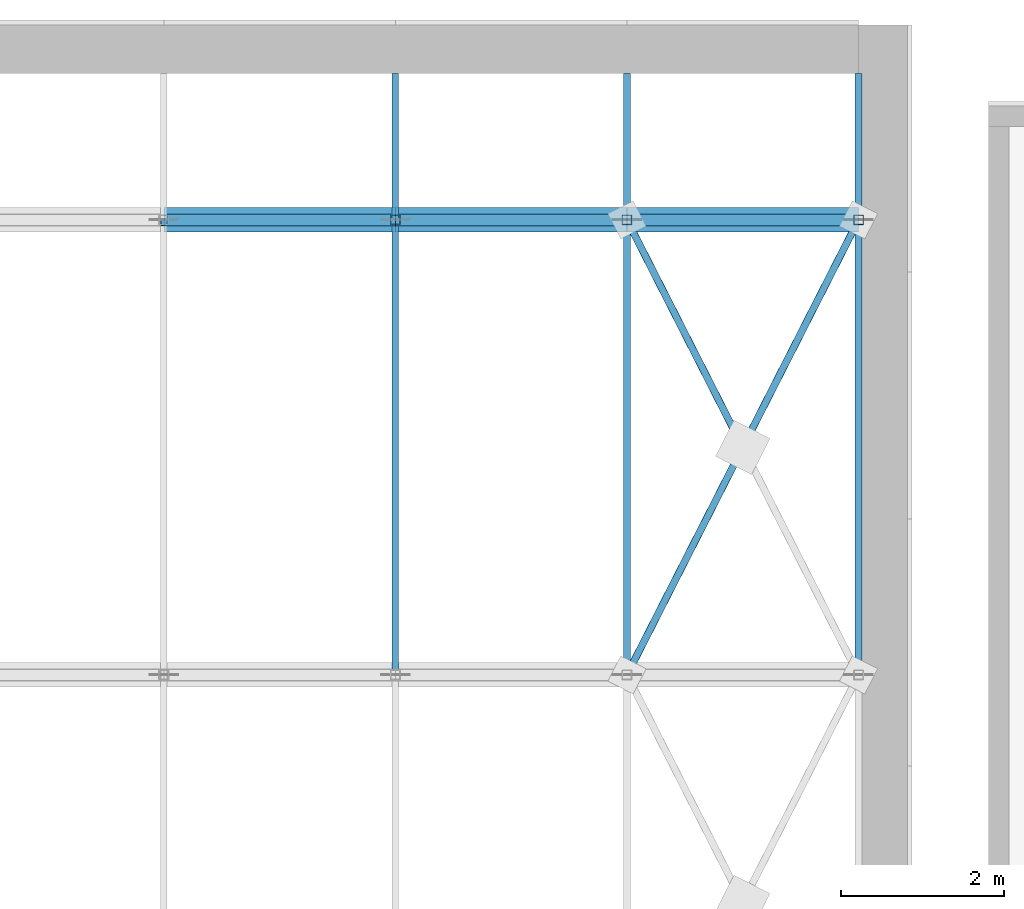
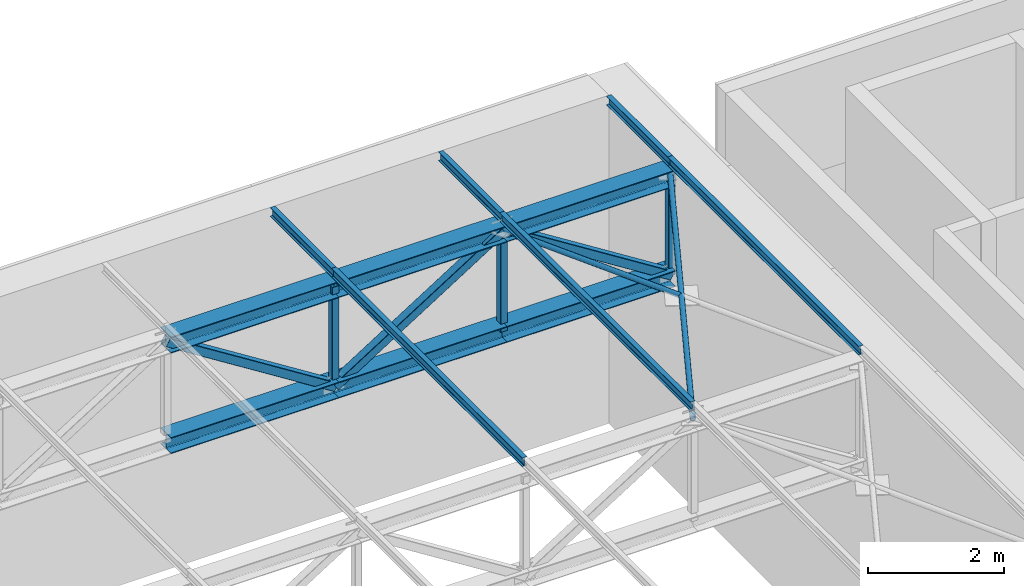
# One storey, part 43 of 55: 20 members.
"""IFC4 building model written with IfcOpenShell, lengths in metres."""

from ifc_helpers import new_model, si_unit, direction, frame, origin, origin_2d, place, context, subcontext, project, spatial, hollow_rectangle, hollow_circle, i_section, extrude, material, material_profile, profile_set, type_object, element, save


model = new_model("IFC4")

# Units and contexts
model_context = context("Model", 3, precision=1e-05, world=origin(), true_north=direction((0.0, 1.0)))
body_context = subcontext(model_context, "Body", "Model", "MODEL_VIEW")
ifc_project = project(units=[si_unit("LENGTHUNIT", "METRE"), si_unit("AREAUNIT", "SQUARE_METRE"), si_unit("VOLUMEUNIT", "CUBIC_METRE"), si_unit("PLANEANGLEUNIT", "RADIAN"), si_unit("MASSUNIT", "GRAM", prefix="KILO")], contexts=[model_context])

# Site, building, storey
site_placement = place(None, origin())
site = spatial("IfcSite", under=ifc_project, at=site_placement, CompositionType="ELEMENT")
building_placement = place(site_placement, origin())
building = spatial("IfcBuilding", under=site, at=building_placement, Name="Lunette Opera House", CompositionType="ELEMENT")
storey_placement = place(building_placement, frame((0.0, 0.0, 34.0)))
storey = spatial("IfcBuildingStorey", under=building, at=storey_placement, Name="L06", CompositionType="ELEMENT", Elevation=34.0)

# Members
ifc_material_1 = material(Name="Steel S355", Category="steel")
ifc_material_profile_1 = material_profile(ifc_material_1, hollow_circle(Radius=0.04443359375, WallThickness=0.00390625, at=origin_2d()), Name="CHS 88.9X4")
ifc_profile_set_1 = profile_set([ifc_material_profile_1], Name="Steel S355")
member_type_1 = type_object("IfcMemberType", Name="BRACING CHS 88.9X4", PredefinedType="BRACE", material=ifc_profile_set_1)
member_1_placement = place(storey_placement, frame((104.550048828125, 128.0, 5.574951171875), z_axis=(0.453543338002, 0.891234223173, 0.0), x_axis=(-0.891234223173, 0.453543338002, 0.0)))
element("IfcMember", 1, at=member_1_placement, inside=storey, type_object=member_type_1, Name="mem-ST-L06-SR-TR-BRQ2P8A", PredefinedType="BRACE", context=body_context, shape_type="SweptSolid", body=[
    extrude(hollow_circle(Radius=0.04443359375, WallThickness=0.00390625, at=origin_2d()), origin(), (0.0, 0.0, 1.0), 6.283447265625),
])
member_2_placement = place(storey_placement, frame((105.97509765625, 130.800048828125, 5.574951171875), z_axis=(-0.453574198899, 0.891218517589, 0.0), x_axis=(-0.891218517589, -0.453574198899, 0.0)))
element("IfcMember", 2, at=member_2_placement, inside=storey, type_object=member_type_1, Name="mem-ST-L06-SR-TR-BRQ2P8B segment 2", PredefinedType="BRACE", context=body_context, shape_type="SweptSolid", body=[
    extrude(hollow_circle(Radius=0.04443359375, WallThickness=0.00390625, at=origin_2d()), origin(), (0.0, 0.0, 1.0), 3.141845703125),
])
ifc_material_2 = material(Name="Steel S355", Category="steel")
ifc_material_profile_2 = material_profile(ifc_material_2, i_section(OverallWidth=0.300048828125, OverallDepth=0.2900390625, WebThickness=0.008544921875, FlangeThickness=0.013916015625, FilletRadius=0.027099609375, at=origin_2d()), Name="HEA 300")
ifc_profile_set_2 = profile_set([ifc_material_profile_2], Name="Steel S355")
member_type_2 = type_object("IfcMemberType", Name="CHORD HEA 300", PredefinedType="CHORD", material=ifc_profile_set_2)
for number, where, z_axis, x_axis, name in (
    (3, (98.85009765625, 133.60009765625, 5.574951171875), (1.0, 0.0, 0.0), (0.0, 1.0, 0.0), "mem-ST-L06-SR-TR03-TC6"),
    (4, (98.85009765625, 133.60009765625, 3.77490234375), (1.0, 0.0, 0.0), (0.0, 1.0, 0.0), "mem-ST-L06-SR-TR03-BC6"),
):
    element("IfcMember", number, at=place(storey_placement, frame(where, z_axis=z_axis, x_axis=x_axis)), inside=storey, type_object=member_type_2, Name=name, PredefinedType="CHORD", context=body_context, shape_type="SweptSolid", body=[
        extrude(i_section(OverallWidth=0.300048828125, OverallDepth=0.2900390625, WebThickness=0.008544921875, FlangeThickness=0.013916015625, FilletRadius=0.027099609375, at=origin_2d()), origin(), (0.0, 0.0, 1.0), 2.849853515625),
    ])
for number, where, z_axis, x_axis, name in (
    (5, (101.699951171875, 133.60009765625, 5.574951171875), (1.0, 0.0, 0.0), (0.0, 1.0, 0.0), "mem-ST-L06-SR-TR03-TC7"),
    (6, (101.699951171875, 133.60009765625, 3.77490234375), (1.0, 0.0, 0.0), (0.0, 1.0, 0.0), "mem-ST-L06-SR-TR03-BC7"),
):
    element("IfcMember", number, at=place(storey_placement, frame(where, z_axis=z_axis, x_axis=x_axis)), inside=storey, type_object=member_type_2, Name=name, PredefinedType="CHORD", context=body_context, shape_type="SweptSolid", body=[
        extrude(i_section(OverallWidth=0.300048828125, OverallDepth=0.2900390625, WebThickness=0.008544921875, FlangeThickness=0.013916015625, FilletRadius=0.027099609375, at=origin_2d()), origin(), (0.0, 0.0, 1.0), 2.85009765625),
    ])
for number, where, z_axis, x_axis, name in (
    (7, (104.550048828125, 133.60009765625, 5.574951171875), (1.0, 0.0, 0.0), (0.0, 1.0, 0.0), "mem-ST-L06-SR-TR03-TC8"),
    (8, (104.550048828125, 133.60009765625, 3.77490234375), (1.0, 0.0, 0.0), (0.0, 1.0, 0.0), "mem-ST-L06-SR-TR03-BC8"),
):
    element("IfcMember", number, at=place(storey_placement, frame(where, z_axis=z_axis, x_axis=x_axis)), inside=storey, type_object=member_type_2, Name=name, PredefinedType="CHORD", context=body_context, shape_type="SweptSolid", body=[
        extrude(i_section(OverallWidth=0.300048828125, OverallDepth=0.2900390625, WebThickness=0.008544921875, FlangeThickness=0.013916015625, FilletRadius=0.027099609375, at=origin_2d()), origin(), (0.0, 0.0, 1.0), 2.849853515625),
    ])
ifc_material_3 = material(Name="Steel S355", Category="steel")
ifc_material_profile_3 = material_profile(ifc_material_3, hollow_rectangle(XDim=0.14990234375, YDim=0.14990234375, WallThickness=0.006103515625, InnerFilletRadius=0.006103515625, OuterFilletRadius=0.011962890625, at=origin_2d()), Name="RHS 150X150X6")
ifc_profile_set_3 = profile_set([ifc_material_profile_3], Name="Steel S355")
member_type_3 = type_object("IfcMemberType", Name="DIAGONAL RHS 150X150X6", PredefinedType="BRACE", material=ifc_profile_set_3)
for number, where, z_axis, x_axis, name in (
    (9, (98.85009765625, 133.60009765625, 5.574951171875), (0.845469970423, 0.0, -0.53402296684), (0.0, 1.0, 0.0), "mem-ST-L06-SR-TR03-TD6"),
    (10, (101.699951171875, 133.60009765625, 3.77490234375), (0.845490624019, 0.0, 0.53399026648), (0.0, 1.0, 0.0), "mem-ST-L06-SR-TR03-TD7"),
    (11, (104.550048828125, 133.60009765625, 5.574951171875), (0.845469970423, 0.0, -0.53402296684), (0.0, 1.0, 0.0), "mem-ST-L06-SR-TR03-TD8"),
):
    element("IfcMember", number, at=place(storey_placement, frame(where, z_axis=z_axis, x_axis=x_axis)), inside=storey, type_object=member_type_3, Name=name, PredefinedType="BRACE", context=body_context, shape_type="SweptSolid", body=[
        extrude(hollow_rectangle(XDim=0.14990234375, YDim=0.14990234375, WallThickness=0.006103515625, InnerFilletRadius=0.006103515625, OuterFilletRadius=0.011962890625, at=origin_2d()), origin(), (0.0, 0.0, 1.0), 3.370849609375),
    ])
ifc_material_4 = material(Name="Steel S355", Category="steel")
ifc_material_profile_4 = material_profile(ifc_material_4, i_section(OverallWidth=0.08203125, OverallDepth=0.159912109375, WebThickness=0.0048828125, FlangeThickness=0.00732421875, FilletRadius=0.009033203125, at=origin_2d()), Name="IPE 160")
ifc_profile_set_4 = profile_set([ifc_material_profile_4], Name="Steel S355")
member_type_4 = type_object("IfcMemberType", Name="PURLIN IPE 160", PredefinedType="PURLIN", material=ifc_profile_set_4)
member_3_placement = place(storey_placement, frame((101.699951171875, 128.0, 5.800048828125), z_axis=(0.0, 1.0, 0.0), x_axis=(-1.0, 0.0, 0.0)))
element("IfcMember", 12, at=member_3_placement, inside=storey, type_object=member_type_4, Name="mem-ST-L06-SR-TR-PU7-3", PredefinedType="PURLIN", context=body_context, shape_type="SweptSolid", body=[
    extrude(i_section(OverallWidth=0.08203125, OverallDepth=0.159912109375, WebThickness=0.0048828125, FlangeThickness=0.00732421875, FilletRadius=0.009033203125, at=origin_2d()), origin(), (0.0, 0.0, 1.0), 5.60009765625),
])
member_4_placement = place(storey_placement, frame((101.699951171875, 133.60009765625, 5.800048828125), z_axis=(0.0, 1.0, 0.0), x_axis=(-1.0, 0.0, 0.0)))
element("IfcMember", 13, at=member_4_placement, inside=storey, type_object=member_type_4, Name="mem-ST-L06-SR-TR-PU7-4", PredefinedType="PURLIN", context=body_context, shape_type="SweptSolid", body=[
    extrude(i_section(OverallWidth=0.08203125, OverallDepth=0.159912109375, WebThickness=0.0048828125, FlangeThickness=0.00732421875, FilletRadius=0.009033203125, at=origin_2d()), origin(), (0.0, 0.0, 1.0), 1.7998046875),
])
member_5_placement = place(storey_placement, frame((104.550048828125, 128.0, 5.800048828125), z_axis=(0.0, 1.0, 0.0), x_axis=(-1.0, 0.0, 0.0)))
element("IfcMember", 14, at=member_5_placement, inside=storey, type_object=member_type_4, Name="mem-ST-L06-SR-TR-PU8-3", PredefinedType="PURLIN", context=body_context, shape_type="SweptSolid", body=[
    extrude(i_section(OverallWidth=0.08203125, OverallDepth=0.159912109375, WebThickness=0.0048828125, FlangeThickness=0.00732421875, FilletRadius=0.009033203125, at=origin_2d()), origin(), (0.0, 0.0, 1.0), 5.60009765625),
])
member_6_placement = place(storey_placement, frame((104.550048828125, 133.60009765625, 5.800048828125), z_axis=(0.0, 1.0, 0.0), x_axis=(-1.0, 0.0, 0.0)))
element("IfcMember", 15, at=member_6_placement, inside=storey, type_object=member_type_4, Name="mem-ST-L06-SR-TR-PU8-4", PredefinedType="PURLIN", context=body_context, shape_type="SweptSolid", body=[
    extrude(i_section(OverallWidth=0.08203125, OverallDepth=0.159912109375, WebThickness=0.0048828125, FlangeThickness=0.00732421875, FilletRadius=0.009033203125, at=origin_2d()), origin(), (0.0, 0.0, 1.0), 1.7998046875),
])
member_7_placement = place(storey_placement, frame((107.39990234375, 128.0, 5.800048828125), z_axis=(0.0, 1.0, 0.0), x_axis=(-1.0, 0.0, 0.0)))
element("IfcMember", 16, at=member_7_placement, inside=storey, type_object=member_type_4, Name="mem-ST-L06-SR-TR-PU9-3", PredefinedType="PURLIN", context=body_context, shape_type="SweptSolid", body=[
    extrude(i_section(OverallWidth=0.08203125, OverallDepth=0.159912109375, WebThickness=0.0048828125, FlangeThickness=0.00732421875, FilletRadius=0.009033203125, at=origin_2d()), origin(), (0.0, 0.0, 1.0), 5.60009765625),
])
member_8_placement = place(storey_placement, frame((107.39990234375, 133.60009765625, 5.800048828125), z_axis=(0.0, 1.0, 0.0), x_axis=(-1.0, 0.0, 0.0)))
element("IfcMember", 17, at=member_8_placement, inside=storey, type_object=member_type_4, Name="mem-ST-L06-SR-TR-PU9-4", PredefinedType="PURLIN", context=body_context, shape_type="SweptSolid", body=[
    extrude(i_section(OverallWidth=0.08203125, OverallDepth=0.159912109375, WebThickness=0.0048828125, FlangeThickness=0.00732421875, FilletRadius=0.009033203125, at=origin_2d()), origin(), (0.0, 0.0, 1.0), 1.7998046875),
])
ifc_material_5 = material(Name="Steel S355", Category="steel")
ifc_material_profile_5 = material_profile(ifc_material_5, hollow_rectangle(XDim=0.1201171875, YDim=0.1201171875, WallThickness=0.0048828125, InnerFilletRadius=0.0048828125, OuterFilletRadius=0.010009765625, at=origin_2d()), Name="RHS 120X120X5")
ifc_profile_set_5 = profile_set([ifc_material_profile_5], Name="Steel S355")
member_type_5 = type_object("IfcMemberType", Name="VERTICAL RHS 120X120X5", PredefinedType="POST", material=ifc_profile_set_5)
for number, where, z_axis, x_axis, name in (
    (18, (101.699951171875, 133.60009765625, 3.77490234375), (0.0, 0.0, 1.0), (1.0, 0.0, 0.0), "mem-ST-L06-SR-TR03-TV7"),
    (19, (104.550048828125, 133.60009765625, 3.77490234375), (0.0, 0.0, 1.0), (1.0, 0.0, 0.0), "mem-ST-L06-SR-TR03-TV8"),
    (20, (107.39990234375, 133.60009765625, 3.77490234375), (0.0, 0.0, 1.0), (1.0, 0.0, 0.0), "mem-ST-L06-SR-TR03-TV9"),
):
    element("IfcMember", number, at=place(storey_placement, frame(where, z_axis=z_axis, x_axis=x_axis)), inside=storey, type_object=member_type_5, Name=name, PredefinedType="POST", context=body_context, shape_type="SweptSolid", body=[
        extrude(hollow_rectangle(XDim=0.1201171875, YDim=0.1201171875, WallThickness=0.0048828125, InnerFilletRadius=0.0048828125, OuterFilletRadius=0.010009765625, at=origin_2d()), origin(), (0.0, 0.0, 1.0), 1.800048828125),
    ])

save(model, "model.ifc")
